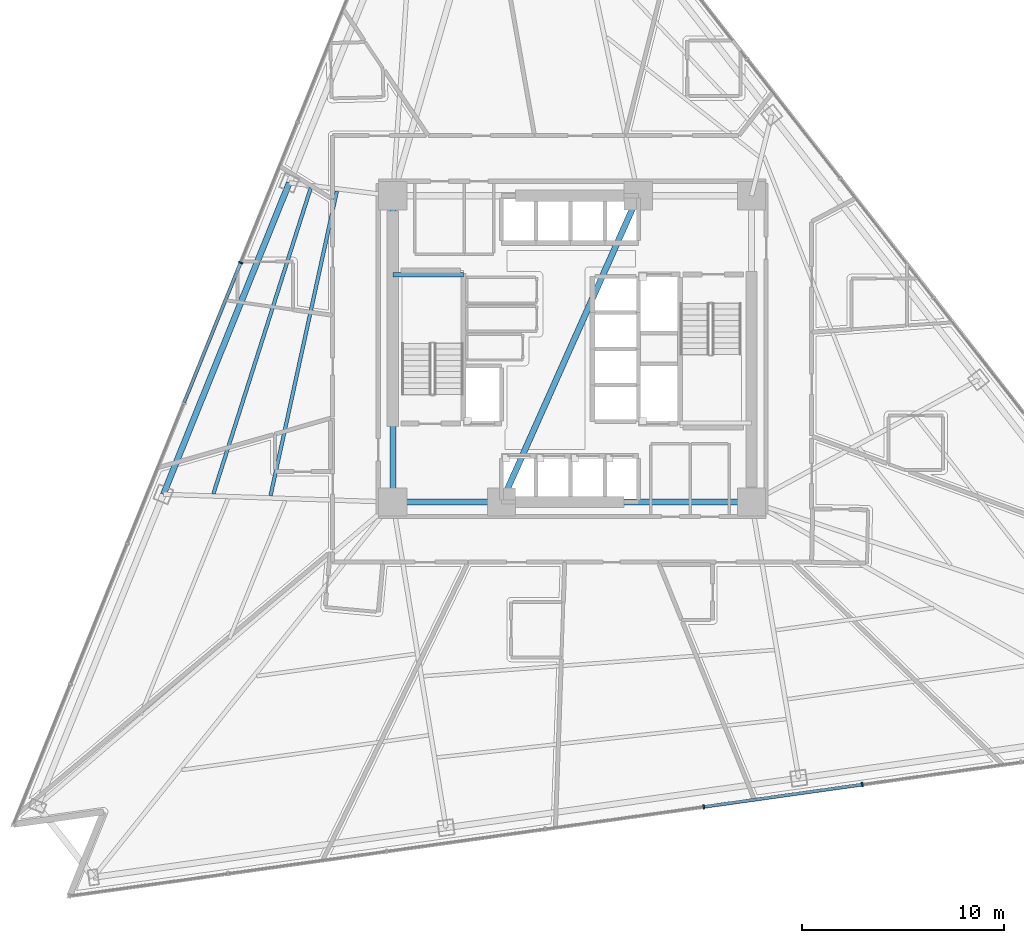
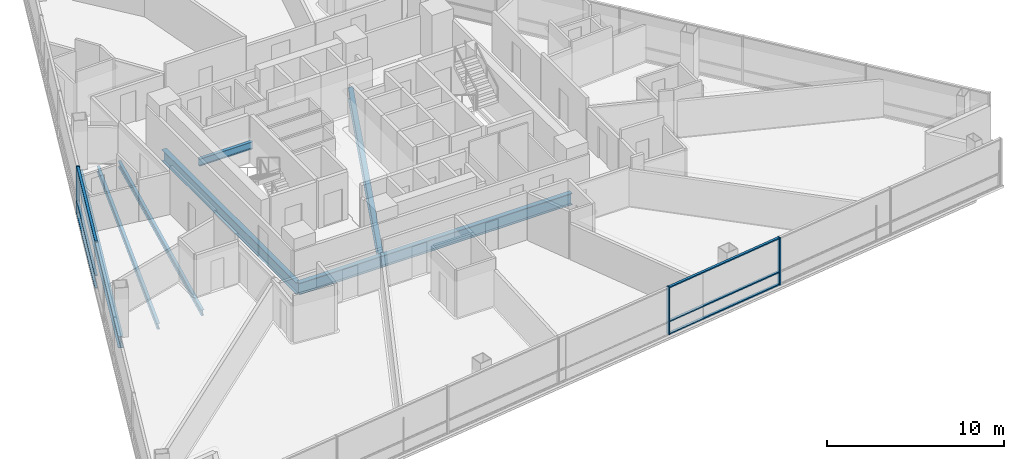
# One storey, part 3 of 16: 9 members, 8 beams, 2 elements without a shape of their own.
"""IFC4 building model written with IfcOpenShell, lengths in metres."""

from ifc_helpers import new_model, si_unit, direction, frame, origin, origin_2d, place, context, subcontext, project, spatial, rectangle, i_section, extrude, material, layer, layer_set, material_profile, profile_set, type_object, element, aggregate, save


model = new_model("IFC4")

# Units and contexts
model_context = context("Model", 3, precision=1e-05, world=origin(), true_north=direction((0.0, 1.0)))
body_context = subcontext(model_context, "Body", "Model", "MODEL_VIEW")
ifc_project = project(units=[si_unit("LENGTHUNIT", "METRE"), si_unit("AREAUNIT", "SQUARE_METRE"), si_unit("VOLUMEUNIT", "CUBIC_METRE"), si_unit("PLANEANGLEUNIT", "RADIAN"), si_unit("MASSUNIT", "GRAM", prefix="KILO")], contexts=[model_context])

# Site, building, storey
site_placement = place(None, origin())
site = spatial("IfcSite", under=ifc_project, at=site_placement, CompositionType="ELEMENT")
building_placement = place(site_placement, origin())
building = spatial("IfcBuilding", under=site, at=building_placement, Name="Tharavind Bronze Gate", CompositionType="ELEMENT")
storey_placement = place(building_placement, frame((0.0, 0.0, 70.75)))
storey = spatial("IfcBuildingStorey", under=building, at=storey_placement, Name="L17", CompositionType="ELEMENT", Elevation=70.75)

# Curtain wall, member
ifc_material_1 = material(Name="Anodised Bronze Aluminium", Category="aluminium")
ifc_layer = layer(ifc_material_1, 0.219970703125)
ifc_layer_set = layer_set([ifc_layer], Name="Anodised Bronze Aluminium")
curtain_wall_type = type_object("IfcCurtainWallType", Name="UNITISED CURTAIN WALL HOTEL", PredefinedType="USERDEFINED", material=ifc_layer_set)
curtain_wall_1_placement = place(storey_placement, origin())
curtain_wall_1 = element("IfcCurtainWall", 1, at=curtain_wall_1_placement, inside=storey, type_object=curtain_wall_type, Name="L17 unitised curtain wall hotel CW-L17-S1", ObjectType="UNITISED CURTAIN WALL", PredefinedType="USERDEFINED")
member_type_1 = type_object("IfcMemberType", Name="CURTAIN WALL MULLION 80X220", PredefinedType="MULLION", material=ifc_material_1)
member_1_placement = place(storey_placement, frame((-16.4462890625, 4.279541015625, 0.0), z_axis=(0.0, 0.0, 1.0), x_axis=(-0.374606593416, -0.927183854567, 0.0)))
member_1 = element("IfcMember", 2, at=member_1_placement, type_object=member_type_1, Name="CW-L17-S1 mullion 4", PredefinedType="MULLION", context=body_context, shape_type="SweptSolid", body=[
    extrude(rectangle(XDim=0.080078125, YDim=0.219970703125, at=origin_2d()), origin(), (0.0, 0.0, 1.0), 3.27490234375),
])

# Curtain wall, members
curtain_wall_2_placement = place(storey_placement, origin())
curtain_wall_2 = element("IfcCurtainWall", 3, at=curtain_wall_2_placement, inside=storey, type_object=curtain_wall_type, Name="L17 unitised curtain wall hotel CW-L17-S2", ObjectType="UNITISED CURTAIN WALL", PredefinedType="USERDEFINED")
member_2_placement = place(storey_placement, frame((6.52880859375, -22.7158203125, 0.0), z_axis=(0.0, 0.0, 1.0), x_axis=(0.990268068742, 0.13917310096, 0.0)))
member_2 = element("IfcMember", 4, at=member_2_placement, type_object=member_type_1, Name="CW-L17-S2 mullion 5", PredefinedType="MULLION", context=body_context, shape_type="SweptSolid", body=[
    extrude(rectangle(XDim=0.080078125, YDim=0.219970703125, at=origin_2d()), origin(), (0.0, 0.0, 1.0), 3.27490234375),
])
member_3_placement = place(storey_placement, frame((14.39501953125, -21.610107421875, 0.0), z_axis=(0.0, 0.0, 1.0), x_axis=(0.990268068742, 0.13917310096, 0.0)))
member_3 = element("IfcMember", 5, at=member_3_placement, type_object=member_type_1, Name="CW-L17-S2 mullion 6", PredefinedType="MULLION", context=body_context, shape_type="SweptSolid", body=[
    extrude(rectangle(XDim=0.080078125, YDim=0.219970703125, at=origin_2d()), origin(), (0.0, 0.0, 1.0), 3.27490234375),
])

# Member
member_type_2 = type_object("IfcMemberType", Name="CURTAIN WALL TRANSOM 80X160", PredefinedType="USERDEFINED", material=ifc_material_1)
member_4_placement = place(storey_placement, frame((-17.85400390625, 0.795654296875, 0.0), z_axis=(0.0, 0.0, 1.0), x_axis=(-0.374606593416, -0.927183854567, 0.0)))
member_4 = element("IfcMember", 6, at=member_4_placement, type_object=member_type_2, Name="CW-L17-S1 transom TB4", ObjectType="TRANSOM", PredefinedType="USERDEFINED", context=body_context, shape_type="SweptSolid", body=[
    extrude(rectangle(XDim=7.447021484375, YDim=0.159912109375, at=origin_2d()), origin(), (0.0, 0.0, 1.0), 0.080078125),
])

member_5_placement = place(storey_placement, frame((-17.85400390625, 0.795654296875, 0.85986328125), z_axis=(0.0, 0.0, 1.0), x_axis=(-0.374606593416, -0.927183854567, 0.0)))
member_5 = element("IfcMember", 7, at=member_5_placement, type_object=member_type_2, Name="CW-L17-S1 transom TS4", ObjectType="TRANSOM", PredefinedType="USERDEFINED", context=body_context, shape_type="SweptSolid", body=[
    extrude(rectangle(XDim=7.447021484375, YDim=0.159912109375, at=origin_2d()), origin(), (0.0, 0.0, 1.0), 0.080078125),
])

member_6_placement = place(storey_placement, frame((-17.85400390625, 0.795654296875, 3.195068359375), z_axis=(0.0, 0.0, 1.0), x_axis=(-0.374606593416, -0.927183854567, 0.0)))
member_6 = element("IfcMember", 8, at=member_6_placement, type_object=member_type_2, Name="CW-L17-S1 transom TT4", ObjectType="TRANSOM", PredefinedType="USERDEFINED", context=body_context, shape_type="SweptSolid", body=[
    extrude(rectangle(XDim=7.447021484375, YDim=0.159912109375, at=origin_2d()), origin(), (0.0, 0.0, 1.0), 0.080078125),
])

aggregate(curtain_wall_1, [member_1, member_4, member_5, member_6])

member_7_placement = place(storey_placement, frame((10.4619140625, -22.1630859375, 0.0), z_axis=(0.0, 0.0, 1.0), x_axis=(0.990268068742, 0.13917310096, 0.0)))
member_7 = element("IfcMember", 9, at=member_7_placement, type_object=member_type_2, Name="CW-L17-S2 transom TB5", ObjectType="TRANSOM", PredefinedType="USERDEFINED", context=body_context, shape_type="SweptSolid", body=[
    extrude(rectangle(XDim=7.87548828125, YDim=0.159912109375, at=origin_2d()), origin(), (0.0, 0.0, 1.0), 0.080078125),
])

member_8_placement = place(storey_placement, frame((10.4619140625, -22.1630859375, 0.85986328125), z_axis=(0.0, 0.0, 1.0), x_axis=(0.990268068742, 0.13917310096, 0.0)))
member_8 = element("IfcMember", 10, at=member_8_placement, type_object=member_type_2, Name="CW-L17-S2 transom TS5", ObjectType="TRANSOM", PredefinedType="USERDEFINED", context=body_context, shape_type="SweptSolid", body=[
    extrude(rectangle(XDim=7.87548828125, YDim=0.159912109375, at=origin_2d()), origin(), (0.0, 0.0, 1.0), 0.080078125),
])

member_9_placement = place(storey_placement, frame((10.4619140625, -22.1630859375, 3.195068359375), z_axis=(0.0, 0.0, 1.0), x_axis=(0.990268068742, 0.13917310096, 0.0)))
member_9 = element("IfcMember", 11, at=member_9_placement, type_object=member_type_2, Name="CW-L17-S2 transom TT5", ObjectType="TRANSOM", PredefinedType="USERDEFINED", context=body_context, shape_type="SweptSolid", body=[
    extrude(rectangle(XDim=7.87548828125, YDim=0.159912109375, at=origin_2d()), origin(), (0.0, 0.0, 1.0), 0.080078125),
])

aggregate(curtain_wall_2, [member_2, member_3, member_7, member_8, member_9])

# Beams
ifc_material_2 = material(Name="Steel S355", Category="steel")
ifc_material_profile_1 = material_profile(ifc_material_2, i_section(OverallWidth=0.199951171875, OverallDepth=0.5, WebThickness=0.01025390625, FlangeThickness=0.01611328125, at=origin_2d()), Name="IPE500")
ifc_profile_set_1 = profile_set([ifc_material_profile_1], Name="Steel S355")
beam_type_1 = type_object("IfcBeamType", Name="PRIMARY GIRDER IPE500", PredefinedType="USERDEFINED", material=ifc_profile_set_1)
beam_1_placement = place(storey_placement, frame((-8.89990234375, 3.679931640625, 1.27490234375), z_axis=(1.0, 0.0, 0.0), x_axis=(0.0, 1.0, 0.0)))
element("IfcBeam", 12, at=beam_1_placement, inside=storey, type_object=beam_type_1, Name="L17 primary girder ipe500 BM-LD-ST1-L17-1", ObjectType="GIRDER", PredefinedType="USERDEFINED", context=body_context, shape_type="SweptSolid", body=[
    extrude(i_section(OverallWidth=0.199951171875, OverallDepth=0.5, WebThickness=0.01025390625, FlangeThickness=0.01611328125, at=origin_2d()), origin(), (0.0, 0.0, 1.0), 3.5),
])
ifc_material_profile_2 = material_profile(ifc_material_2, i_section(OverallWidth=0.300048828125, OverallDepth=0.800048828125, WebThickness=0.017578125, FlangeThickness=0.032958984375, at=origin_2d()), Name="HE800B")
ifc_profile_set_2 = profile_set([ifc_material_profile_2], Name="Steel S355")
beam_type_2 = type_object("IfcBeamType", Name="RING GIRDER HE800B", PredefinedType="USERDEFINED", material=ifc_profile_set_2)
beam_2_placement = place(storey_placement, frame((-8.89990234375, -7.60009765625, -0.574951171875), z_axis=(1.0, 0.0, 0.0), x_axis=(0.0, 1.0, 0.0)))
element("IfcBeam", 13, at=beam_2_placement, inside=storey, type_object=beam_type_2, Name="L17 ring girder he800b BM-L17-CR1", ObjectType="GIRDER", PredefinedType="USERDEFINED", context=body_context, shape_type="SweptSolid", body=[
    extrude(i_section(OverallWidth=0.300048828125, OverallDepth=0.800048828125, WebThickness=0.017578125, FlangeThickness=0.032958984375, at=origin_2d()), origin(), (0.0, 0.0, 1.0), 5.39990234375),
])
beam_3_placement = place(storey_placement, frame((-3.5, -7.60009765625, -0.574951171875), z_axis=(1.0, 0.0, 0.0), x_axis=(0.0, 1.0, 0.0)))
element("IfcBeam", 14, at=beam_3_placement, inside=storey, type_object=beam_type_2, Name="L17 ring girder he800b BM-L17-CR2", ObjectType="GIRDER", PredefinedType="USERDEFINED", context=body_context, shape_type="SweptSolid", body=[
    extrude(i_section(OverallWidth=0.300048828125, OverallDepth=0.800048828125, WebThickness=0.017578125, FlangeThickness=0.032958984375, at=origin_2d()), origin(), (0.0, 0.0, 1.0), 12.39990234375),
])
beam_4_placement = place(storey_placement, frame((-8.89990234375, 7.60009765625, -0.574951171875), z_axis=(0.0, -1.0, 0.0), x_axis=(1.0, 0.0, 0.0)))
element("IfcBeam", 15, at=beam_4_placement, inside=storey, type_object=beam_type_2, Name="L17 ring girder he800b BM-L17-CR6", ObjectType="GIRDER", PredefinedType="USERDEFINED", context=body_context, shape_type="SweptSolid", body=[
    extrude(i_section(OverallWidth=0.300048828125, OverallDepth=0.800048828125, WebThickness=0.017578125, FlangeThickness=0.032958984375, at=origin_2d()), origin(), (0.0, 0.0, 1.0), 15.2001953125),
])
beam_5_placement = place(storey_placement, frame((-3.5, -7.60009765625, -0.574951171875), z_axis=(0.407361644566, 0.913266932795, 0.0), x_axis=(-0.913266932795, 0.407361644566, 0.0)))
element("IfcBeam", 16, at=beam_5_placement, inside=storey, type_object=beam_type_2, Name="L17 ring girder he800b BM-L17-CR7", ObjectType="GIRDER", PredefinedType="USERDEFINED", context=body_context, shape_type="SweptSolid", body=[
    extrude(i_section(OverallWidth=0.300048828125, OverallDepth=0.800048828125, WebThickness=0.017578125, FlangeThickness=0.032958984375, at=origin_2d()), origin(), (0.0, 0.0, 1.0), 16.643798828125),
])
beam_6_placement = place(storey_placement, frame((-14.036376953125, 8.2421875, -0.574951171875), z_axis=(-0.374613188644, -0.927181189894, 0.0), x_axis=(0.927181189894, -0.374613188644, 0.0)))
element("IfcBeam", 17, at=beam_6_placement, inside=storey, type_object=beam_type_2, Name="L17 ring girder he800b BM-L17-PRG02", ObjectType="GIRDER", PredefinedType="USERDEFINED", context=body_context, shape_type="SweptSolid", body=[
    extrude(i_section(OverallWidth=0.300048828125, OverallDepth=0.800048828125, WebThickness=0.017578125, FlangeThickness=0.032958984375, at=origin_2d()), origin(), (0.0, 0.0, 1.0), 16.6689453125),
])
ifc_material_profile_3 = material_profile(ifc_material_2, i_section(OverallWidth=0.179931640625, OverallDepth=0.39990234375, WebThickness=0.008544921875, FlangeThickness=0.013427734375, at=origin_2d()), Name="IPE400")
ifc_profile_set_3 = profile_set([ifc_material_profile_3], Name="Steel S355")
beam_type_3 = type_object("IfcBeamType", Name="SECONDARY FLOOR JOIST IPE400", PredefinedType="JOIST", material=ifc_profile_set_3)
beam_7_placement = place(storey_placement, frame((-11.67236328125, 7.831787109375, -0.375), z_axis=(-0.212838572198, -0.977087376945, 0.0), x_axis=(0.977087376945, -0.212838572198, 0.0)))
element("IfcBeam", 18, at=beam_7_placement, inside=storey, type_object=beam_type_3, Name="L17 secondary floor joist ipe400 BM-L17-JSTA02", PredefinedType="JOIST", context=body_context, shape_type="SweptSolid", body=[
    extrude(i_section(OverallWidth=0.179931640625, OverallDepth=0.39990234375, WebThickness=0.008544921875, FlangeThickness=0.013427734375, at=origin_2d()), origin(), (0.0, 0.0, 1.0), 15.4658203125),
])
beam_8_placement = place(storey_placement, frame((-12.967041015625, 7.993896484375, -0.375), z_axis=(-0.303309311807, -0.952892156212, 0.0), x_axis=(0.952892156212, -0.303309311807, 0.0)))
element("IfcBeam", 19, at=beam_8_placement, inside=storey, type_object=beam_type_3, Name="L17 secondary floor joist ipe400 BM-L17-JSTB02", PredefinedType="JOIST", context=body_context, shape_type="SweptSolid", body=[
    extrude(i_section(OverallWidth=0.179931640625, OverallDepth=0.39990234375, WebThickness=0.008544921875, FlangeThickness=0.013427734375, at=origin_2d()), origin(), (0.0, 0.0, 1.0), 15.927734375),
])

save(model, "model.ifc")
